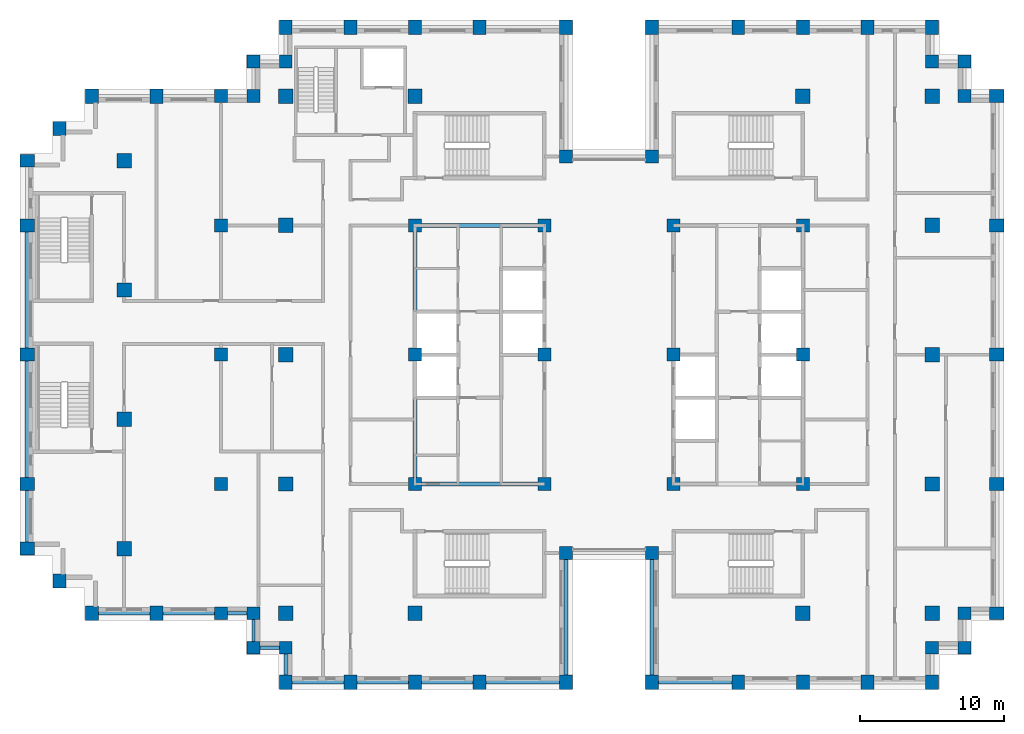
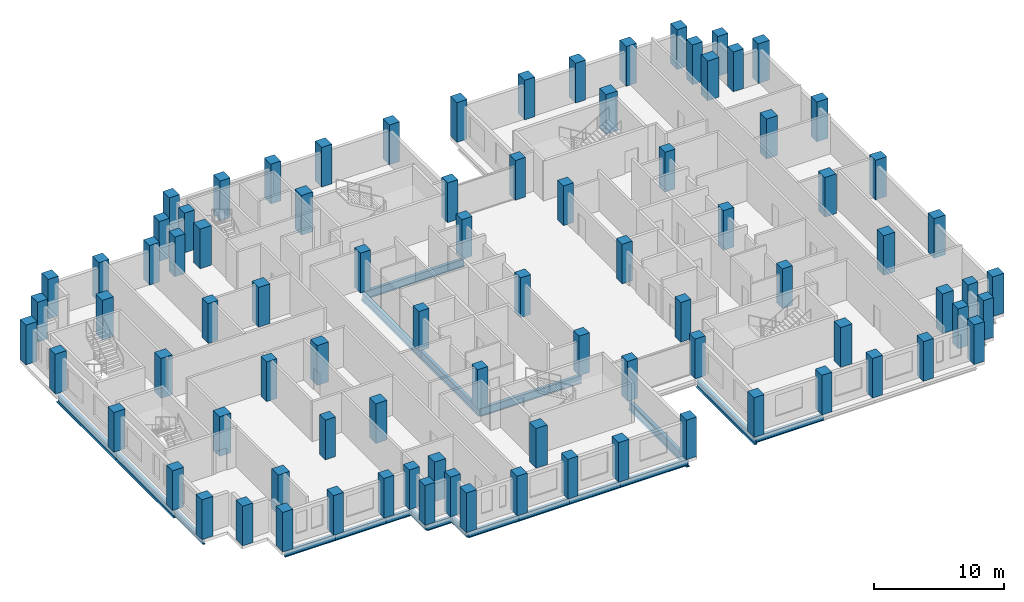
# One storey, part 1 of 15: 87 columns, 20 beams.
"""IFC4 building model written with IfcOpenShell, lengths in metres."""

from ifc_helpers import new_model, si_unit, direction, frame, origin, origin_2d, place, context, subcontext, project, spatial, rectangle, i_section, extrude, material, material_profile, profile_set, type_object, element, save


model = new_model("IFC4")

# Units and contexts
model_context = context("Model", 3, precision=1e-05, world=origin(), true_north=direction((0.0, 1.0)))
body_context = subcontext(model_context, "Body", "Model", "MODEL_VIEW")
ifc_project = project(units=[si_unit("LENGTHUNIT", "METRE"), si_unit("AREAUNIT", "SQUARE_METRE"), si_unit("VOLUMEUNIT", "CUBIC_METRE"), si_unit("PLANEANGLEUNIT", "RADIAN"), si_unit("MASSUNIT", "GRAM", prefix="KILO")], contexts=[model_context])

# Site, building, storey
site_placement = place(None, origin())
site = spatial("IfcSite", under=ifc_project, at=site_placement, CompositionType="ELEMENT")
building_placement = place(site_placement, origin())
building = spatial("IfcBuilding", under=site, at=building_placement, Name="Corbelhall Arena Tower", CompositionType="ELEMENT")
storey_placement = place(building_placement, frame((0.0, 0.0, 188.0)))
storey = spatial("IfcBuildingStorey", under=building, at=storey_placement, Name="L38", CompositionType="ELEMENT", Elevation=188.0)

# Columns
ifc_material_1 = material(Name="Concrete C80/95", Category="concrete")
ifc_material_profile_1 = material_profile(ifc_material_1, rectangle(XDim=1.0, YDim=1.0, at=origin_2d()))
ifc_profile_set_1 = profile_set([ifc_material_profile_1], Name="Concrete C80/95")
column_type_1 = type_object("IfcColumnType", Name="ST-COL-RC 1000x1000", PredefinedType="COLUMN", material=ifc_profile_set_1)
for number, where, z_axis, x_axis, name in (
    (1, (-33.75, 4.5, 0.0), (0.0, 0.0, 1.0), (1.0, 0.0, 0.0), "Column FIC+0450"),
    (2, (-33.75, 13.5, 0.0), (0.0, 0.0, 1.0), (1.0, 0.0, 0.0), "Column FIC+1350"),
    (3, (-33.75, -4.5, 0.0), (0.0, 0.0, 1.0), (1.0, 0.0, 0.0), "Column FIC-0450"),
    (4, (-33.75, -13.5, 0.0), (0.0, 0.0, 1.0), (1.0, 0.0, 0.0), "Column FIC-1350"),
    (5, (13.5, 18.0, 0.0), (0.0, 0.0, 1.0), (1.0, 0.0, 0.0), "Column IE13+1800"),
    (6, (13.5, -18.0, 0.0), (0.0, 0.0, 1.0), (1.0, 0.0, 0.0), "Column IE13-1800"),
    (7, (22.5, 0.0, 0.0), (0.0, 0.0, 1.0), (1.0, 0.0, 0.0), "Column IE22+0000"),
    (8, (22.5, 9.0, 0.0), (0.0, 0.0, 1.0), (1.0, 0.0, 0.0), "Column IE22+0900"),
    (9, (22.5, 18.0, 0.0), (0.0, 0.0, 1.0), (1.0, 0.0, 0.0), "Column IE22+1800"),
    (10, (22.5, -9.0, 0.0), (0.0, 0.0, 1.0), (1.0, 0.0, 0.0), "Column IE22-0900"),
    (11, (22.5, -18.0, 0.0), (0.0, 0.0, 1.0), (1.0, 0.0, 0.0), "Column IE22-1800"),
    (12, (-13.5, 18.0, 0.0), (0.0, 0.0, 1.0), (1.0, 0.0, 0.0), "Column IW13+1800"),
    (13, (-13.5, -18.0, 0.0), (0.0, 0.0, 1.0), (1.0, 0.0, 0.0), "Column IW13-1800"),
    (14, (-22.5, 0.0, 0.0), (0.0, 0.0, 1.0), (1.0, 0.0, 0.0), "Column IW22+0000"),
    (15, (-22.5, 9.0, 0.0), (0.0, 0.0, 1.0), (1.0, 0.0, 0.0), "Column IW22+0900"),
    (16, (-22.5, 18.0, 0.0), (0.0, 0.0, 1.0), (1.0, 0.0, 0.0), "Column IW22+1800"),
    (17, (-22.5, -9.0, 0.0), (0.0, 0.0, 1.0), (1.0, 0.0, 0.0), "Column IW22-0900"),
    (18, (-22.5, -18.0, 0.0), (0.0, 0.0, 1.0), (1.0, 0.0, 0.0), "Column IW22-1800"),
):
    element("IfcColumn", number, at=place(storey_placement, frame(where, z_axis=z_axis, x_axis=x_axis)), inside=storey, type_object=column_type_1, Name=name, PredefinedType="COLUMN", context=body_context, shape_type="SweptSolid", body=[
        extrude(rectangle(XDim=1.0, YDim=1.0, at=origin_2d()), origin(), (0.0, 0.0, 1.0), 3.719970703125),
    ])
ifc_material_profile_2 = material_profile(ifc_material_1, rectangle(XDim=0.89990234375, YDim=1.0, at=origin_2d()))
ifc_profile_set_2 = profile_set([ifc_material_profile_2], Name="Concrete C80/95")
column_type_2 = type_object("IfcColumnType", Name="ST-COL-RC 900x1000", PredefinedType="COLUMN", material=ifc_profile_set_2)
for number, where, z_axis, x_axis, name in (
    (19, (-40.5, 0.0, 0.0), (0.0, 0.0, 1.0), (0.0, 1.0, 0.0), "Column FC+0000"),
    (20, (-40.5, 9.0, 0.0), (0.0, 0.0, 1.0), (0.0, 1.0, 0.0), "Column FC+0900"),
    (21, (-40.5, 13.5, 0.0), (0.0, 0.0, 1.0), (0.0, 1.0, 0.0), "Column FC+1350"),
    (22, (-40.5, -9.0, 0.0), (0.0, 0.0, 1.0), (0.0, 1.0, 0.0), "Column FC-0900"),
    (23, (-40.5, -13.5, 0.0), (0.0, 0.0, 1.0), (0.0, 1.0, 0.0), "Column FC-1350"),
    (24, (-38.25, 15.75, 0.0), (0.0, 0.0, 1.0), (1.0, 0.0, 0.0), "Column FCCN"),
    (25, (-38.25, -15.75, 0.0), (0.0, 0.0, 1.0), (1.0, 0.0, 0.0), "Column FCCS"),
    (26, (-31.5, 18.0, 0.0), (0.0, 0.0, 1.0), (1.0, 0.0, 0.0), "Column FCN3150"),
    (27, (-36.0, 18.0, 0.0), (0.0, 0.0, 1.0), (1.0, 0.0, 0.0), "Column FCN3600"),
    (28, (-31.5, -18.0, 0.0), (0.0, 0.0, 1.0), (1.0, 0.0, 0.0), "Column FCS3150"),
    (29, (-36.0, -18.0, 0.0), (0.0, 0.0, 1.0), (1.0, 0.0, 0.0), "Column FCS3600"),
    (30, (27.0, 0.0, 0.0), (0.0, 0.0, 1.0), (0.0, 1.0, 0.0), "Column PE+0000"),
    (31, (27.0, 9.0, 0.0), (0.0, 0.0, 1.0), (0.0, 1.0, 0.0), "Column PE+0900"),
    (32, (27.0, 18.0, 0.0), (0.0, 0.0, 1.0), (0.0, 1.0, 0.0), "Column PE+1800"),
    (33, (27.0, -9.0, 0.0), (0.0, 0.0, 1.0), (0.0, 1.0, 0.0), "Column PE-0900"),
    (34, (27.0, -18.0, 0.0), (0.0, 0.0, 1.0), (0.0, 1.0, 0.0), "Column PE-1800"),
    (35, (3.0, 22.800048828125, 0.0), (0.0, 0.0, 1.0), (1.0, 0.0, 0.0), "Column PNE0300"),
    (36, (9.0, 22.800048828125, 0.0), (0.0, 0.0, 1.0), (1.0, 0.0, 0.0), "Column PNE0900"),
    (37, (13.5, 22.800048828125, 0.0), (0.0, 0.0, 1.0), (1.0, 0.0, 0.0), "Column PNE1350"),
    (38, (18.0, 22.800048828125, 0.0), (0.0, 0.0, 1.0), (1.0, 0.0, 0.0), "Column PNE1800"),
    (39, (22.5, 22.800048828125, 0.0), (0.0, 0.0, 1.0), (1.0, 0.0, 0.0), "Column PNE2250"),
    (40, (-3.0, 22.800048828125, 0.0), (0.0, 0.0, 1.0), (1.0, 0.0, 0.0), "Column PNW0300"),
    (41, (-9.0, 22.800048828125, 0.0), (0.0, 0.0, 1.0), (1.0, 0.0, 0.0), "Column PNW0900"),
    (42, (-13.5, 22.800048828125, 0.0), (0.0, 0.0, 1.0), (1.0, 0.0, 0.0), "Column PNW1350"),
    (43, (-18.0, 22.800048828125, 0.0), (0.0, 0.0, 1.0), (1.0, 0.0, 0.0), "Column PNW1800"),
    (44, (-22.5, 22.800048828125, 0.0), (0.0, 0.0, 1.0), (1.0, 0.0, 0.0), "Column PNW2250"),
    (45, (3.0, -22.800048828125, 0.0), (0.0, 0.0, 1.0), (1.0, 0.0, 0.0), "Column PSE0300"),
    (46, (9.0, -22.800048828125, 0.0), (0.0, 0.0, 1.0), (1.0, 0.0, 0.0), "Column PSE0900"),
    (47, (13.5, -22.800048828125, 0.0), (0.0, 0.0, 1.0), (1.0, 0.0, 0.0), "Column PSE1350"),
    (48, (18.0, -22.800048828125, 0.0), (0.0, 0.0, 1.0), (1.0, 0.0, 0.0), "Column PSE1800"),
    (49, (22.5, -22.800048828125, 0.0), (0.0, 0.0, 1.0), (1.0, 0.0, 0.0), "Column PSE2250"),
    (50, (-3.0, -22.800048828125, 0.0), (0.0, 0.0, 1.0), (1.0, 0.0, 0.0), "Column PSW0300"),
    (51, (-9.0, -22.800048828125, 0.0), (0.0, 0.0, 1.0), (1.0, 0.0, 0.0), "Column PSW0900"),
    (52, (-13.5, -22.800048828125, 0.0), (0.0, 0.0, 1.0), (1.0, 0.0, 0.0), "Column PSW1350"),
    (53, (-18.0, -22.800048828125, 0.0), (0.0, 0.0, 1.0), (1.0, 0.0, 0.0), "Column PSW1800"),
    (54, (-22.5, -22.800048828125, 0.0), (0.0, 0.0, 1.0), (1.0, 0.0, 0.0), "Column PSW2250"),
):
    element("IfcColumn", number, at=place(storey_placement, frame(where, z_axis=z_axis, x_axis=x_axis)), inside=storey, type_object=column_type_2, Name=name, PredefinedType="COLUMN", context=body_context, shape_type="SweptSolid", body=[
        extrude(rectangle(XDim=0.89990234375, YDim=1.0, at=origin_2d()), origin(), (0.0, 0.0, 1.0), 3.719970703125),
    ])
ifc_material_profile_3 = material_profile(ifc_material_1, rectangle(XDim=0.89990234375, YDim=0.89990234375, at=origin_2d()))
ifc_profile_set_3 = profile_set([ifc_material_profile_3], Name="Concrete C80/95")
column_type_3 = type_object("IfcColumnType", Name="ST-COL-RC 900x900", PredefinedType="COLUMN", material=ifc_profile_set_3)
for number, where, z_axis, x_axis, name in (
    (55, (4.5, 0.0, 0.0), (0.0, 0.0, 1.0), (1.0, 0.0, 0.0), "Column KE+0450+0000"),
    (56, (4.5, 9.0, 0.0), (0.0, 0.0, 1.0), (1.0, 0.0, 0.0), "Column KE+0450+0900"),
    (57, (4.5, -9.0, 0.0), (0.0, 0.0, 1.0), (1.0, 0.0, 0.0), "Column KE+0450-0900"),
    (58, (13.5, 0.0, 0.0), (0.0, 0.0, 1.0), (1.0, 0.0, 0.0), "Column KE+1350+0000"),
    (59, (13.5, 9.0, 0.0), (0.0, 0.0, 1.0), (1.0, 0.0, 0.0), "Column KE+1350+0900"),
    (60, (13.5, -9.0, 0.0), (0.0, 0.0, 1.0), (1.0, 0.0, 0.0), "Column KE+1350-0900"),
    (61, (-4.5, 0.0, 0.0), (0.0, 0.0, 1.0), (1.0, 0.0, 0.0), "Column KW-0450+0000"),
    (62, (-4.5, 9.0, 0.0), (0.0, 0.0, 1.0), (1.0, 0.0, 0.0), "Column KW-0450+0900"),
    (63, (-4.5, -9.0, 0.0), (0.0, 0.0, 1.0), (1.0, 0.0, 0.0), "Column KW-0450-0900"),
    (64, (-13.5, 0.0, 0.0), (0.0, 0.0, 1.0), (1.0, 0.0, 0.0), "Column KW-1350+0000"),
    (65, (-13.5, 9.0, 0.0), (0.0, 0.0, 1.0), (1.0, 0.0, 0.0), "Column KW-1350+0900"),
    (66, (-13.5, -9.0, 0.0), (0.0, 0.0, 1.0), (1.0, 0.0, 0.0), "Column KW-1350-0900"),
    (67, (-27.0, 0.0, 0.0), (0.0, 0.0, 1.0), (1.0, 0.0, 0.0), "Column PW+0000"),
    (68, (-27.0, 9.0, 0.0), (0.0, 0.0, 1.0), (1.0, 0.0, 0.0), "Column PW+0900"),
    (69, (-27.0, 18.0, 0.0), (0.0, 0.0, 1.0), (1.0, 0.0, 0.0), "Column PW+1800"),
    (70, (-27.0, -9.0, 0.0), (0.0, 0.0, 1.0), (1.0, 0.0, 0.0), "Column PW-0900"),
    (71, (-27.0, -18.0, 0.0), (0.0, 0.0, 1.0), (1.0, 0.0, 0.0), "Column PW-1800"),
    (72, (3.0, 13.800048828125, 0.0), (0.0, 0.0, 1.0), (1.0, 0.0, 0.0), "Column SLNE2"),
    (73, (-3.0, 13.800048828125, 0.0), (0.0, 0.0, 1.0), (1.0, 0.0, 0.0), "Column SLNW2"),
    (74, (3.0, -13.800048828125, 0.0), (0.0, 0.0, 1.0), (1.0, 0.0, 0.0), "Column SLSE2"),
    (75, (-3.0, -13.800048828125, 0.0), (0.0, 0.0, 1.0), (1.0, 0.0, 0.0), "Column SLSW2"),
    (76, (22.5, 20.39990234375, 0.0), (0.0, 0.0, 1.0), (1.0, 0.0, 0.0), "Column XNE1"),
    (77, (24.75, 20.39990234375, 0.0), (0.0, 0.0, 1.0), (1.0, 0.0, 0.0), "Column XNE2"),
    (78, (24.75, 18.0, 0.0), (0.0, 0.0, 1.0), (1.0, 0.0, 0.0), "Column XNE3"),
    (79, (-22.5, 20.39990234375, 0.0), (0.0, 0.0, 1.0), (1.0, 0.0, 0.0), "Column XNW1"),
    (80, (-24.75, 20.39990234375, 0.0), (0.0, 0.0, 1.0), (1.0, 0.0, 0.0), "Column XNW2"),
    (81, (-24.75, 18.0, 0.0), (0.0, 0.0, 1.0), (1.0, 0.0, 0.0), "Column XNW3"),
    (82, (22.5, -20.39990234375, 0.0), (0.0, 0.0, 1.0), (1.0, 0.0, 0.0), "Column XSE1"),
    (83, (24.75, -20.39990234375, 0.0), (0.0, 0.0, 1.0), (1.0, 0.0, 0.0), "Column XSE2"),
    (84, (24.75, -18.0, 0.0), (0.0, 0.0, 1.0), (1.0, 0.0, 0.0), "Column XSE3"),
    (85, (-22.5, -20.39990234375, 0.0), (0.0, 0.0, 1.0), (1.0, 0.0, 0.0), "Column XSW1"),
    (86, (-24.75, -20.39990234375, 0.0), (0.0, 0.0, 1.0), (1.0, 0.0, 0.0), "Column XSW2"),
    (87, (-24.75, -18.0, 0.0), (0.0, 0.0, 1.0), (1.0, 0.0, 0.0), "Column XSW3"),
):
    element("IfcColumn", number, at=place(storey_placement, frame(where, z_axis=z_axis, x_axis=x_axis)), inside=storey, type_object=column_type_3, Name=name, PredefinedType="COLUMN", context=body_context, shape_type="SweptSolid", body=[
        extrude(rectangle(XDim=0.89990234375, YDim=0.89990234375, at=origin_2d()), origin(), (0.0, 0.0, 1.0), 3.719970703125),
    ])

# Beams
ifc_material_2 = material(Name="Steel ASTM A992 Gr50", Category="steel")
ifc_material_profile_4 = material_profile(ifc_material_2, i_section(OverallWidth=0.2666015625, OverallDepth=0.761962890625, WebThickness=0.014404296875, FlangeThickness=0.021484375, at=origin_2d()))
ifc_profile_set_4 = profile_set([ifc_material_profile_4], Name="Steel ASTM A992 Gr50")
beam_type_1 = type_object("IfcBeamType", Name="ST-BEAM-W30x116", PredefinedType="BEAM", material=ifc_profile_set_4)
for number, where, z_axis, x_axis, name in (
    (88, (-13.5, -9.0, -0.660888671875), (0.0, 1.0, 0.0), (-1.0, 0.0, 0.0), "Beam CEW 1"),
    (89, (-13.5, 0.0, -0.660888671875), (0.0, 1.0, 0.0), (-1.0, 0.0, 0.0), "Beam CEW 2"),
    (90, (-13.5, -9.0, -0.660888671875), (1.0, 0.0, 0.0), (0.0, 1.0, 0.0), "Beam CEW 5"),
    (91, (-13.5, 9.0, -0.660888671875), (1.0, 0.0, 0.0), (0.0, 1.0, 0.0), "Beam CEW 6"),
):
    element("IfcBeam", number, at=place(storey_placement, frame(where, z_axis=z_axis, x_axis=x_axis)), inside=storey, type_object=beam_type_1, Name=name, PredefinedType="BEAM", context=body_context, shape_type="SweptSolid", body=[
        extrude(i_section(OverallWidth=0.2666015625, OverallDepth=0.761962890625, WebThickness=0.014404296875, FlangeThickness=0.021484375, at=origin_2d()), origin(), (0.0, 0.0, 1.0), 9.0),
    ])
ifc_material_profile_5 = material_profile(ifc_material_2, i_section(OverallWidth=0.228271484375, OverallDepth=0.607177734375, WebThickness=0.01123046875, FlangeThickness=0.017333984375, at=origin_2d()))
ifc_profile_set_5 = profile_set([ifc_material_profile_5], Name="Steel ASTM A992 Gr50")
beam_type_2 = type_object("IfcBeamType", Name="ST-SPANDREL-W24x76", PredefinedType="SPANDREL", material=ifc_profile_set_5)
for number, where, z_axis, x_axis, name in (
    (92, (-40.5, -13.5, -0.58349609375), (0.0, 1.0, 0.0), (-1.0, 0.0, 0.0), "Beam SP 4"),
    (93, (-31.5, -18.0, -0.58349609375), (-1.0, 0.0, 0.0), (0.0, -1.0, 0.0), "Beam SP 7"),
):
    element("IfcBeam", number, at=place(storey_placement, frame(where, z_axis=z_axis, x_axis=x_axis)), inside=storey, type_object=beam_type_2, Name=name, PredefinedType="SPANDREL", context=body_context, shape_type="SweptSolid", body=[
        extrude(i_section(OverallWidth=0.228271484375, OverallDepth=0.607177734375, WebThickness=0.01123046875, FlangeThickness=0.017333984375, at=origin_2d()), origin(), (0.0, 0.0, 1.0), 4.5),
    ])
for number, where, z_axis, x_axis, name in (
    (94, (9.0, -22.800048828125, -0.58349609375), (-1.0, 0.0, 0.0), (0.0, -1.0, 0.0), "Beam SP 24"),
    (95, (-3.0, -22.800048828125, -0.58349609375), (-1.0, 0.0, 0.0), (0.0, -1.0, 0.0), "Beam SP 28"),
):
    element("IfcBeam", number, at=place(storey_placement, frame(where, z_axis=z_axis, x_axis=x_axis)), inside=storey, type_object=beam_type_2, Name=name, PredefinedType="SPANDREL", context=body_context, shape_type="SweptSolid", body=[
        extrude(i_section(OverallWidth=0.228271484375, OverallDepth=0.607177734375, WebThickness=0.01123046875, FlangeThickness=0.017333984375, at=origin_2d()), origin(), (0.0, 0.0, 1.0), 6.0),
    ])
for number, where, z_axis, x_axis, name in (
    (96, (-9.0, -22.800048828125, -0.58349609375), (-1.0, 0.0, 0.0), (0.0, -1.0, 0.0), "Beam SP 29"),
    (97, (-13.5, -22.800048828125, -0.58349609375), (-1.0, 0.0, 0.0), (0.0, -1.0, 0.0), "Beam SP 30"),
    (98, (-18.0, -22.800048828125, -0.58349609375), (-1.0, 0.0, 0.0), (0.0, -1.0, 0.0), "Beam SP 31"),
):
    element("IfcBeam", number, at=place(storey_placement, frame(where, z_axis=z_axis, x_axis=x_axis)), inside=storey, type_object=beam_type_2, Name=name, PredefinedType="SPANDREL", context=body_context, shape_type="SweptSolid", body=[
        extrude(i_section(OverallWidth=0.228271484375, OverallDepth=0.607177734375, WebThickness=0.01123046875, FlangeThickness=0.017333984375, at=origin_2d()), origin(), (0.0, 0.0, 1.0), 4.5),
    ])
beam_1_placement = place(storey_placement, frame((-22.5, -22.800048828125, -0.58349609375), z_axis=(0.0, 1.0, 0.0), x_axis=(-1.0, 0.0, 0.0)))
element("IfcBeam", 99, at=beam_1_placement, inside=storey, type_object=beam_type_2, Name="Beam SP 32", PredefinedType="SPANDREL", context=body_context, shape_type="SweptSolid", body=[
    extrude(i_section(OverallWidth=0.228271484375, OverallDepth=0.607177734375, WebThickness=0.01123046875, FlangeThickness=0.017333984375, at=origin_2d()), origin(), (0.0, 0.0, 1.0), 2.400146484375),
])
beam_2_placement = place(storey_placement, frame((-27.0, -18.0, -0.58349609375), z_axis=(-1.0, 0.0, 0.0), x_axis=(0.0, -1.0, 0.0)))
element("IfcBeam", 100, at=beam_2_placement, inside=storey, type_object=beam_type_2, Name="Beam SP 34", PredefinedType="SPANDREL", context=body_context, shape_type="SweptSolid", body=[
    extrude(i_section(OverallWidth=0.228271484375, OverallDepth=0.607177734375, WebThickness=0.01123046875, FlangeThickness=0.017333984375, at=origin_2d()), origin(), (0.0, 0.0, 1.0), 4.5),
])
beam_3_placement = place(storey_placement, frame((-22.5, -20.39990234375, -0.58349609375), z_axis=(-1.0, 0.0, 0.0), x_axis=(0.0, -1.0, 0.0)))
element("IfcBeam", 101, at=beam_3_placement, inside=storey, type_object=beam_type_2, Name="Beam SP 48", PredefinedType="SPANDREL", context=body_context, shape_type="SweptSolid", body=[
    extrude(i_section(OverallWidth=0.228271484375, OverallDepth=0.607177734375, WebThickness=0.01123046875, FlangeThickness=0.017333984375, at=origin_2d()), origin(), (0.0, 0.0, 1.0), 2.25),
])
beam_4_placement = place(storey_placement, frame((-24.75, -20.39990234375, -0.58349609375), z_axis=(0.0, 1.0, 0.0), x_axis=(-1.0, 0.0, 0.0)))
element("IfcBeam", 102, at=beam_4_placement, inside=storey, type_object=beam_type_2, Name="Beam SP 49", PredefinedType="SPANDREL", context=body_context, shape_type="SweptSolid", body=[
    extrude(i_section(OverallWidth=0.228271484375, OverallDepth=0.607177734375, WebThickness=0.01123046875, FlangeThickness=0.017333984375, at=origin_2d()), origin(), (0.0, 0.0, 1.0), 2.39990234375),
])
beam_5_placement = place(storey_placement, frame((-24.75, -18.0, -0.58349609375), z_axis=(-1.0, 0.0, 0.0), x_axis=(0.0, -1.0, 0.0)))
element("IfcBeam", 103, at=beam_5_placement, inside=storey, type_object=beam_type_2, Name="Beam SP 50", PredefinedType="SPANDREL", context=body_context, shape_type="SweptSolid", body=[
    extrude(i_section(OverallWidth=0.228271484375, OverallDepth=0.607177734375, WebThickness=0.01123046875, FlangeThickness=0.017333984375, at=origin_2d()), origin(), (0.0, 0.0, 1.0), 2.25),
])
ifc_material_profile_6 = material_profile(ifc_material_2, i_section(OverallWidth=0.2919921875, OverallDepth=0.845703125, WebThickness=0.015380859375, FlangeThickness=0.0244140625, at=origin_2d()))
ifc_profile_set_6 = profile_set([ifc_material_profile_6], Name="Steel ASTM A992 Gr50")
beam_type_3 = type_object("IfcBeamType", Name="ST-SPANDREL-W33x141", PredefinedType="SPANDREL", material=ifc_profile_set_6)
for number, where, z_axis, x_axis, name in (
    (104, (-40.5, 0.0, -0.702880859375), (0.0, 1.0, 0.0), (-1.0, 0.0, 0.0), "Beam SP 1"),
    (105, (-40.5, -9.0, -0.702880859375), (0.0, 1.0, 0.0), (-1.0, 0.0, 0.0), "Beam SP 3"),
    (106, (3.0, -22.800048828125, -0.702880859375), (0.0, 1.0, 0.0), (-1.0, 0.0, 0.0), "Beam SP 23"),
    (107, (-3.0, -13.800048828125, -0.702880859375), (0.0, -1.0, 0.0), (1.0, 0.0, 0.0), "Beam SP 38"),
):
    element("IfcBeam", number, at=place(storey_placement, frame(where, z_axis=z_axis, x_axis=x_axis)), inside=storey, type_object=beam_type_3, Name=name, PredefinedType="SPANDREL", context=body_context, shape_type="SweptSolid", body=[
        extrude(i_section(OverallWidth=0.2919921875, OverallDepth=0.845703125, WebThickness=0.015380859375, FlangeThickness=0.0244140625, at=origin_2d()), origin(), (0.0, 0.0, 1.0), 9.0),
    ])

save(model, "model.ifc")
